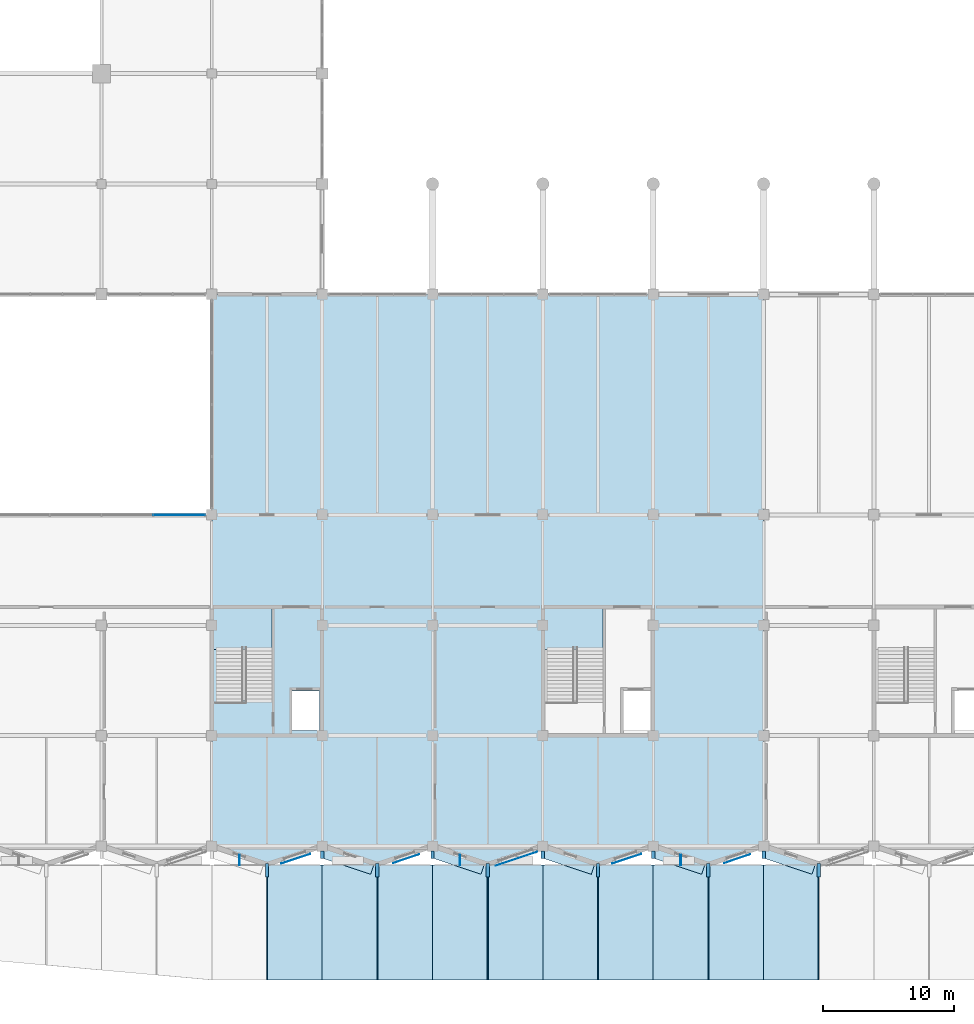
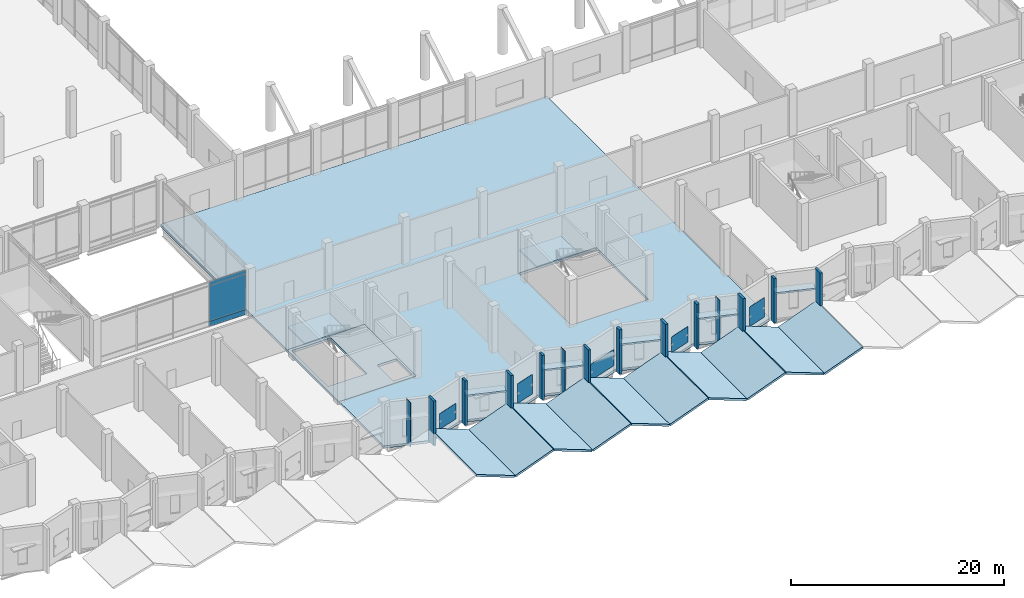
# One storey, part 35 of 72: 27 plates, 14 slabs, 3 elements without a shape of their own.
"""IFC4 building model written with IfcOpenShell, lengths in metres."""

from ifc_helpers import new_model, si_unit, direction, frame, frame_2d, origin, place, context, subcontext, project, spatial, polyline, rectangle, outline, extrude, material, layer, layer_set, type_object, element, aggregate, save


model = new_model("IFC4")

# Units and contexts
model_context = context("Model", 3, precision=1e-05, world=origin(), true_north=direction((0.0, 1.0)))
body_context = subcontext(model_context, "Body", "Model", "MODEL_VIEW")
ifc_project = project(units=[si_unit("LENGTHUNIT", "METRE"), si_unit("AREAUNIT", "SQUARE_METRE"), si_unit("VOLUMEUNIT", "CUBIC_METRE"), si_unit("PLANEANGLEUNIT", "RADIAN"), si_unit("MASSUNIT", "GRAM", prefix="KILO")], contexts=[model_context])

# Site, building, storey
site_placement = place(None, origin())
site = spatial("IfcSite", under=ifc_project, at=site_placement, CompositionType="ELEMENT")
building_placement = place(site_placement, origin())
building = spatial("IfcBuilding", under=site, at=building_placement, Name="Qawsi Khor Wholesale Market", CompositionType="ELEMENT")
storey_placement = place(building_placement, frame((0.0, 0.0, 6.0)))
storey = spatial("IfcBuildingStorey", under=building, at=storey_placement, Name="L01", CompositionType="ELEMENT", Elevation=6.0)

# Slabs
ifc_material_1 = material(Name="Concrete C40/50", Category="concrete")
ifc_layer_1 = layer(ifc_material_1, 0.22998046875, Name="Concrete C40/50")
ifc_layer_set_1 = layer_set([ifc_layer_1], Name="Concrete C40/50")
slab_type_1 = type_object("IfcSlabType", Name="Folded Concrete Canopy Slab 230 C40/50", PredefinedType="ROOF", material=ifc_layer_set_1)
slab_1_placement = place(storey_placement, frame((71.445068359375, -10.199951171875, 1.419921875), z_axis=(0.353429429104, 0.0, 0.935461190346), x_axis=(0.935461190346, 0.0, -0.353429429104)))
element("IfcSlab", 1, at=slab_1_placement, inside=storey, type_object=slab_type_1, Name="Boulevard Origami Canopy Facet 08B", PredefinedType="ROOF", context=body_context, shape_type="SweptSolid", body=[
    extrude(outline(polyline([(0.0, 0.0), (4.441690729402894, 0.0), (4.441690729402894, 8.75), (0.0, 8.75), (0.0, 0.0)])), origin(), (0.0, 0.0, -1.0), 0.22998046875),
])
slab_2_placement = place(storey_placement, frame((75.60009765625, -10.199951171875, -0.14990234375), z_axis=(-0.353447602704, 0.0, 0.935454323921), x_axis=(0.935454323921, 0.0, 0.353447602704)))
element("IfcSlab", 2, at=slab_2_placement, inside=storey, type_object=slab_type_1, Name="Boulevard Origami Canopy Facet 09A", PredefinedType="ROOF", context=body_context, shape_type="SweptSolid", body=[
    extrude(outline(polyline([(0.0, 0.0), (4.441462346161384, 0.0), (4.441462346161384, 8.750000000000002), (0.0, 8.750000000000002), (0.0, 0.0)])), origin(), (0.0, 0.0, -1.0), 0.22998046875),
])
for number, where, z_axis, x_axis, name in (
    (3, (79.844970703125, -10.199951171875, 1.419921875), (0.353429429104, 0.0, 0.935461190346), (0.935461190346, 0.0, -0.353429429104), "Boulevard Origami Canopy Facet 09B"),
    (4, (84.0, -10.199951171875, -0.14990234375), (-0.353429429104, 0.0, 0.935461190346), (0.935461190346, 0.0, 0.353429429104), "Boulevard Origami Canopy Facet 10A"),
):
    element("IfcSlab", number, at=place(storey_placement, frame(where, z_axis=z_axis, x_axis=x_axis)), inside=storey, type_object=slab_type_1, Name=name, PredefinedType="ROOF", context=body_context, shape_type="SweptSolid", body=[
        extrude(outline(polyline([(0.0, 0.0), (4.441690729402894, 0.0), (4.441690729402894, 8.75), (0.0, 8.75), (0.0, 0.0)])), origin(), (0.0, 0.0, -1.0), 0.22998046875),
    ])
slab_3_placement = place(storey_placement, frame((88.2451171875, -10.199951171875, 1.419921875), z_axis=(0.353447602704, 0.0, 0.935454323921), x_axis=(0.935454323921, 0.0, -0.353447602704)))
element("IfcSlab", 5, at=slab_3_placement, inside=storey, type_object=slab_type_1, Name="Boulevard Origami Canopy Facet 10B", PredefinedType="ROOF", context=body_context, shape_type="SweptSolid", body=[
    extrude(outline(polyline([(0.0, 0.0), (4.441462346161384, 0.0), (4.441462346161384, 8.750000000000002), (0.0, 8.750000000000002), (0.0, 0.0)])), origin(), (0.0, 0.0, -1.0), 0.22998046875),
])
for number, where, z_axis, x_axis, name in (
    (6, (92.39990234375, -10.199951171875, -0.14990234375), (-0.353429429104, 0.0, 0.935461190346), (0.935461190346, 0.0, 0.353429429104), "Boulevard Origami Canopy Facet 11A"),
    (7, (96.64501953125, -10.199951171875, 1.419921875), (0.353429429104, 0.0, 0.935461190346), (0.935461190346, 0.0, -0.353429429104), "Boulevard Origami Canopy Facet 11B"),
    (8, (100.800048828125, -10.199951171875, -0.14990234375), (-0.353429429104, 0.0, 0.935461190346), (0.935461190346, 0.0, 0.353429429104), "Boulevard Origami Canopy Facet 12A"),
    (9, (105.044921875, -10.199951171875, 1.419921875), (0.353429429104, 0.0, 0.935461190346), (0.935461190346, 0.0, -0.353429429104), "Boulevard Origami Canopy Facet 12B"),
    (10, (109.199951171875, -10.199951171875, -0.14990234375), (-0.353429429104, 0.0, 0.935461190346), (0.935461190346, 0.0, 0.353429429104), "Boulevard Origami Canopy Facet 13A"),
):
    element("IfcSlab", number, at=place(storey_placement, frame(where, z_axis=z_axis, x_axis=x_axis)), inside=storey, type_object=slab_type_1, Name=name, PredefinedType="ROOF", context=body_context, shape_type="SweptSolid", body=[
        extrude(outline(polyline([(0.0, 0.0), (4.441690729402894, 0.0), (4.441690729402894, 8.75), (0.0, 8.75), (0.0, 0.0)])), origin(), (0.0, 0.0, -1.0), 0.22998046875),
    ])

# Curtain wall, plate
ifc_material_2 = material(Name="Aluminium Anodised Bronze", Category="aluminium")
ifc_layer_2 = layer(ifc_material_2, 0.179931640625, Name="Aluminium Anodised Bronze")
ifc_layer_set_2 = layer_set([ifc_layer_2], Name="Aluminium Anodised Bronze")
curtain_wall_type = type_object("IfcCurtainWallType", Name="Atrium Full-Height Curtain Wall CW-02", PredefinedType="NOTDEFINED", material=ifc_layer_set_2)
curtain_wall_placement = place(storey_placement, origin())
curtain_wall = element("IfcCurtainWall", 11, at=curtain_wall_placement, inside=storey, type_object=curtain_wall_type, Name="Curtain wall CW-CW-02-L01-016", PredefinedType="NOTDEFINED")
ifc_material_3 = material(Name="Anodised Aluminium Spandrel", Category="aluminium")
ifc_layer_3 = layer(ifc_material_3, 0.06494140625, Name="Anodised Aluminium Spandrel")
ifc_layer_set_3 = layer_set([ifc_layer_3], Name="Anodised Aluminium Spandrel")
plate_type_1 = type_object("IfcPlateType", Name="Insulated Spandrel Panel CW-02 65mm", PredefinedType="CURTAIN_PANEL", material=ifc_layer_set_3)
plate_1_placement = place(storey_placement, frame((62.75244140625, 25.199951171875, 0.0048828125), z_axis=(0.0, 0.0, 1.0), x_axis=(1.0, 0.0, 0.0)))
plate_1 = element("IfcPlate", 12, at=plate_1_placement, type_object=plate_type_1, Name="Curtain panel CW-CW-02-L01-016-P0_03", PredefinedType="CURTAIN_PANEL", context=body_context, shape_type="SweptSolid", body=[
    extrude(rectangle(XDim=3.95263671875, YDim=0.06494140625, at=frame_2d((1.976318359375, 0.0))), origin(), (0.0, 0.0, 1.0), 0.590087890625),
])

# Plates
ifc_material_4 = material(Name="Perforated Bronze-Anodised Aluminium", Category="aluminium")
ifc_layer_4 = layer(ifc_material_4, 0.014892578125, Name="Perforated Bronze-Anodised Aluminium")
ifc_layer_set_4 = layer_set([ifc_layer_4], Name="Perforated Bronze-Anodised Aluminium")
plate_type_2 = type_object("IfcPlateType", Name="Perforated Bronze Mashrabiya Screen 15mm", PredefinedType="SHEET", material=ifc_layer_set_4)
plate_2_placement = place(storey_placement, frame((74.691162109375, -0.603515625, 0.85009765625), z_axis=(0.0, 0.0, 1.0), x_axis=(-0.948714864533, -0.31613305081, 0.0)))
element("IfcPlate", 13, at=plate_2_placement, inside=storey, type_object=plate_type_2, Name="Solar mashrabiya screen 006", PredefinedType="SHEET", context=body_context, shape_type="SweptSolid", body=[
    extrude(rectangle(XDim=2.31982421875, YDim=0.014892578125, at=frame_2d((1.159912109375, 0.0))), origin(), (0.0, 0.0, 1.0), 1.7998046875),
])
plate_3_placement = place(storey_placement, frame((82.98681640625, -0.63818359375, 0.85009765625), z_axis=(0.0, 0.0, 1.0), x_axis=(-0.948683298051, -0.316227766017, 0.0)))
element("IfcPlate", 14, at=plate_3_placement, inside=storey, type_object=plate_type_2, Name="Solar mashrabiya screen 007", PredefinedType="SHEET", context=body_context, shape_type="SweptSolid", body=[
    extrude(rectangle(XDim=2.099853515625, YDim=0.014892578125, at=frame_2d((1.0498046875, 0.0))), origin(), (0.0, 0.0, 1.0), 2.25),
])
plate_4_placement = place(storey_placement, frame((91.9560546875, -0.448486328125, 0.85009765625), z_axis=(0.0, 0.0, 1.0), x_axis=(-0.948690696143, -0.316205570874, 0.0)))
element("IfcPlate", 15, at=plate_4_placement, inside=storey, type_object=plate_type_2, Name="Solar mashrabiya screen 008", PredefinedType="SHEET", context=body_context, shape_type="SweptSolid", body=[
    extrude(rectangle(XDim=3.300048828125, YDim=0.014892578125, at=frame_2d((1.64990234375, 0.0))), origin(), (0.0, 0.0, 1.0), 1.849853515625),
])
plate_5_placement = place(storey_placement, frame((99.89111328125, -0.603515625, 0.85009765625), z_axis=(0.0, 0.0, 1.0), x_axis=(-0.948714864533, -0.31613305081, 0.0)))
element("IfcPlate", 16, at=plate_5_placement, inside=storey, type_object=plate_type_2, Name="Solar mashrabiya screen 009", PredefinedType="SHEET", context=body_context, shape_type="SweptSolid", body=[
    extrude(rectangle(XDim=2.31982421875, YDim=0.014892578125, at=frame_2d((1.159912109375, 0.0))), origin(), (0.0, 0.0, 1.0), 1.7998046875),
])
plate_6_placement = place(storey_placement, frame((108.186767578125, -0.63818359375, 0.85009765625), z_axis=(0.0, 0.0, 1.0), x_axis=(-0.948683298051, -0.316227766017, 0.0)))
element("IfcPlate", 17, at=plate_6_placement, inside=storey, type_object=plate_type_2, Name="Solar mashrabiya screen 010", PredefinedType="SHEET", context=body_context, shape_type="SweptSolid", body=[
    extrude(rectangle(XDim=2.099853515625, YDim=0.014892578125, at=frame_2d((1.0498046875, 0.0))), origin(), (0.0, 0.0, 1.0), 2.25),
])
ifc_layer_5 = layer(ifc_material_1, 0.260009765625, Name="Concrete C40/50")
ifc_layer_set_5 = layer_set([ifc_layer_5], Name="Concrete C40/50")
plate_type_3 = type_object("IfcPlateType", Name="Sculpted Concrete Solar Buttress Fin 260", PredefinedType="SHEET", material=ifc_layer_set_5)
plate_7_placement = place(storey_placement, frame((71.39990234375, -2.35009765625, 0.0), z_axis=(0.0, 0.0, 1.0), x_axis=(0.0, 1.0, 0.0)))
element("IfcPlate", 18, at=plate_7_placement, inside=storey, type_object=plate_type_3, Name="Boulevard concrete solar buttress fin L01-11", PredefinedType="SHEET", context=body_context, shape_type="SweptSolid", body=[
    extrude(rectangle(XDim=1.0, YDim=0.260009765625, at=frame_2d((0.5, 0.0))), origin(), (0.0, 0.0, 1.0), 5.1201171875),
])
plate_8_placement = place(storey_placement, frame((75.60009765625, -0.949951171875, 0.0), z_axis=(0.0, 0.0, 1.0), x_axis=(0.0, 1.0, 0.0)))
element("IfcPlate", 19, at=plate_8_placement, inside=storey, type_object=plate_type_3, Name="Boulevard concrete solar buttress fin L01-12", PredefinedType="SHEET", context=body_context, shape_type="SweptSolid", body=[
    extrude(rectangle(XDim=0.570068359375, YDim=0.260009765625, at=frame_2d((0.28515625, 0.0))), origin(), (0.0, 0.0, 1.0), 5.1201171875),
])
plate_9_placement = place(storey_placement, frame((79.800048828125, -2.35009765625, 0.0), z_axis=(0.0, 0.0, 1.0), x_axis=(0.0, 1.0, 0.0)))
element("IfcPlate", 20, at=plate_9_placement, inside=storey, type_object=plate_type_3, Name="Boulevard concrete solar buttress fin L01-13", PredefinedType="SHEET", context=body_context, shape_type="SweptSolid", body=[
    extrude(rectangle(XDim=1.0, YDim=0.260009765625, at=frame_2d((0.5, 0.0))), origin(), (0.0, 0.0, 1.0), 5.1201171875),
])
plate_10_placement = place(storey_placement, frame((84.0, -0.949951171875, 0.0), z_axis=(0.0, 0.0, 1.0), x_axis=(0.0, 1.0, 0.0)))
element("IfcPlate", 21, at=plate_10_placement, inside=storey, type_object=plate_type_3, Name="Boulevard concrete solar buttress fin L01-14", PredefinedType="SHEET", context=body_context, shape_type="SweptSolid", body=[
    extrude(rectangle(XDim=0.570068359375, YDim=0.260009765625, at=frame_2d((0.28515625, 0.0))), origin(), (0.0, 0.0, 1.0), 5.1201171875),
])
plate_11_placement = place(storey_placement, frame((88.199951171875, -2.35009765625, 0.0), z_axis=(0.0, 0.0, 1.0), x_axis=(0.0, 1.0, 0.0)))
element("IfcPlate", 22, at=plate_11_placement, inside=storey, type_object=plate_type_3, Name="Boulevard concrete solar buttress fin L01-15", PredefinedType="SHEET", context=body_context, shape_type="SweptSolid", body=[
    extrude(rectangle(XDim=1.0, YDim=0.260009765625, at=frame_2d((0.5, 0.0))), origin(), (0.0, 0.0, 1.0), 5.1201171875),
])
plate_12_placement = place(storey_placement, frame((92.39990234375, -0.949951171875, 0.0), z_axis=(0.0, 0.0, 1.0), x_axis=(0.0, 1.0, 0.0)))
element("IfcPlate", 23, at=plate_12_placement, inside=storey, type_object=plate_type_3, Name="Boulevard concrete solar buttress fin L01-16", PredefinedType="SHEET", context=body_context, shape_type="SweptSolid", body=[
    extrude(rectangle(XDim=0.570068359375, YDim=0.260009765625, at=frame_2d((0.28515625, 0.0))), origin(), (0.0, 0.0, 1.0), 5.1201171875),
])
plate_13_placement = place(storey_placement, frame((96.60009765625, -2.35009765625, 0.0), z_axis=(0.0, 0.0, 1.0), x_axis=(0.0, 1.0, 0.0)))
element("IfcPlate", 24, at=plate_13_placement, inside=storey, type_object=plate_type_3, Name="Boulevard concrete solar buttress fin L01-17", PredefinedType="SHEET", context=body_context, shape_type="SweptSolid", body=[
    extrude(rectangle(XDim=1.0, YDim=0.260009765625, at=frame_2d((0.5, 0.0))), origin(), (0.0, 0.0, 1.0), 5.1201171875),
])
plate_14_placement = place(storey_placement, frame((100.800048828125, -0.949951171875, 0.0), z_axis=(0.0, 0.0, 1.0), x_axis=(0.0, 1.0, 0.0)))
element("IfcPlate", 25, at=plate_14_placement, inside=storey, type_object=plate_type_3, Name="Boulevard concrete solar buttress fin L01-18", PredefinedType="SHEET", context=body_context, shape_type="SweptSolid", body=[
    extrude(rectangle(XDim=0.570068359375, YDim=0.260009765625, at=frame_2d((0.28515625, 0.0))), origin(), (0.0, 0.0, 1.0), 5.1201171875),
])
plate_15_placement = place(storey_placement, frame((105.0, -2.35009765625, 0.0), z_axis=(0.0, 0.0, 1.0), x_axis=(0.0, 1.0, 0.0)))
element("IfcPlate", 26, at=plate_15_placement, inside=storey, type_object=plate_type_3, Name="Boulevard concrete solar buttress fin L01-19", PredefinedType="SHEET", context=body_context, shape_type="SweptSolid", body=[
    extrude(rectangle(XDim=1.0, YDim=0.260009765625, at=frame_2d((0.5, 0.0))), origin(), (0.0, 0.0, 1.0), 5.1201171875),
])
plate_16_placement = place(storey_placement, frame((109.199951171875, -0.949951171875, 0.0), z_axis=(0.0, 0.0, 1.0), x_axis=(0.0, 1.0, 0.0)))
element("IfcPlate", 27, at=plate_16_placement, inside=storey, type_object=plate_type_3, Name="Boulevard concrete solar buttress fin L01-20", PredefinedType="SHEET", context=body_context, shape_type="SweptSolid", body=[
    extrude(rectangle(XDim=0.570068359375, YDim=0.260009765625, at=frame_2d((0.28515625, 0.0))), origin(), (0.0, 0.0, 1.0), 5.1201171875),
])
plate_17_placement = place(storey_placement, frame((113.39990234375, -2.35009765625, 0.0), z_axis=(0.0, 0.0, 1.0), x_axis=(0.0, 1.0, 0.0)))
element("IfcPlate", 28, at=plate_17_placement, inside=storey, type_object=plate_type_3, Name="Boulevard concrete solar buttress fin L01-21", PredefinedType="SHEET", context=body_context, shape_type="SweptSolid", body=[
    extrude(rectangle(XDim=1.0, YDim=0.260009765625, at=frame_2d((0.5, 0.0))), origin(), (0.0, 0.0, 1.0), 5.1201171875),
])
ifc_layer_6 = layer(ifc_material_1, 0.949951171875, Name="Concrete C40/50")
ifc_layer_set_6 = layer_set([ifc_layer_6], Name="Concrete C40/50")
plate_type_4 = type_object("IfcPlateType", Name="Sculpted Concrete Sun-Hood Canopy 950", PredefinedType="SHEET", material=ifc_layer_set_6)
for number, where, z_axis, x_axis, name in (
    (29, (75.710693359375, -0.45849609375, 3.25), (0.0, 0.0, 1.0), (0.94867708111, -0.316246416226, 0.0), "Sculpted concrete sun-hood L01-13"),
    (30, (84.110595703125, -0.45849609375, 3.25), (0.0, 0.0, 1.0), (0.94867708111, -0.316246416226, 0.0), "Sculpted concrete sun-hood L01-15"),
    (31, (92.5107421875, -0.45849609375, 3.25), (0.0, 0.0, 1.0), (0.94867708111, -0.316246416226, 0.0), "Sculpted concrete sun-hood L01-17"),
    (32, (100.91064453125, -0.45849609375, 3.25), (0.0, 0.0, 1.0), (0.94867708111, -0.316246416226, 0.0), "Sculpted concrete sun-hood L01-19"),
    (33, (109.310791015625, -0.45849609375, 3.25), (0.0, 0.0, 1.0), (0.94867708111, -0.316246416226, 0.0), "Sculpted concrete sun-hood L01-21"),
):
    element("IfcPlate", number, at=place(storey_placement, frame(where, z_axis=z_axis, x_axis=x_axis)), inside=storey, type_object=plate_type_4, Name=name, PredefinedType="SHEET", context=body_context, shape_type="SweptSolid", body=[
        extrude(rectangle(XDim=3.92724609375, YDim=0.949951171875, at=frame_2d((1.963623046875, 0.0))), origin(), (0.0, 0.0, 1.0), 0.18994140625),
    ])

# Plate
ifc_material_5 = material(Name="Tempered Low-E Solar Glass", Category="glass")
ifc_layer_7 = layer(ifc_material_5, 0.031982421875, Name="Tempered Low-E Solar Glass")
ifc_layer_set_7 = layer_set([ifc_layer_7], Name="Tempered Low-E Solar Glass")
plate_type_5 = type_object("IfcPlateType", Name="Solar Double-Glazed Unit CW-02 32mm", PredefinedType="CURTAIN_PANEL", material=ifc_layer_set_7)
plate_18_placement = place(storey_placement, frame((62.75244140625, 25.199951171875, 0.60498046875), z_axis=(0.0, 0.0, 1.0), x_axis=(1.0, 0.0, 0.0)))
plate_18 = element("IfcPlate", 34, at=plate_18_placement, type_object=plate_type_5, Name="Curtain panel CW-CW-02-L01-016-P1_03", PredefinedType="CURTAIN_PANEL", context=body_context, shape_type="SweptSolid", body=[
    extrude(rectangle(XDim=3.95263671875, YDim=0.031982421875, at=frame_2d((1.976318359375, 0.0))), origin(), (0.0, 0.0, 1.0), 4.06005859375),
])

plate_19_placement = place(storey_placement, frame((62.75244140625, 25.199951171875, 4.675048828125), z_axis=(0.0, 0.0, 1.0), x_axis=(1.0, 0.0, 0.0)))
plate_19 = element("IfcPlate", 35, at=plate_19_placement, type_object=plate_type_5, Name="Curtain panel CW-CW-02-L01-016-P2_03", PredefinedType="CURTAIN_PANEL", context=body_context, shape_type="SweptSolid", body=[
    extrude(rectangle(XDim=3.95263671875, YDim=0.031982421875, at=frame_2d((1.976318359375, 0.0))), origin(), (0.0, 0.0, 1.0), 0.43994140625),
])

aggregate(curtain_wall, [plate_1, plate_18, plate_19])

# Stair, slab
stair_type = type_object("IfcStairType", Name="Exit Stair L01-L02 5400 Rise", PredefinedType="HALF_TURN_STAIR", material=ifc_material_1)
stair_1_placement = place(storey_placement, origin())
stair_1 = element("IfcStair", 36, at=stair_1_placement, inside=storey, type_object=stair_type, Name="Stair ST-02 L01", PredefinedType="HALF_TURN_STAIR")
ifc_layer_8 = layer(ifc_material_1, 0.179931640625, Name="Concrete C40/50")
ifc_layer_set_8 = layer_set([ifc_layer_8], Name="Concrete C40/50")
slab_type_2 = type_object("IfcSlabType", Name="Stair Half-Landing Slab 180 C40/50", PredefinedType="LANDING", material=ifc_layer_set_8)
slab_4_placement = place(storey_placement, frame((0.0, 0.0, 2.52001953125)))
slab_4 = element("IfcSlab", 37, at=slab_4_placement, type_object=slab_type_2, Name="ST-02-L01 landing 1", PredefinedType="LANDING", context=body_context, shape_type="SweptSolid", body=[
    extrude(outline(polyline([(67.25, 14.9599609375), (71.780029296875, 14.9599609375), (71.780029296875, 18.14990234375), (67.25, 18.14990234375), (67.25, 14.9599609375)])), origin(), (0.0, 0.0, 1.0), 0.179931640625),
])
aggregate(stair_1, [slab_4])

stair_2_placement = place(storey_placement, origin())
stair_2 = element("IfcStair", 38, at=stair_2_placement, inside=storey, type_object=stair_type, Name="Stair ST-03 L01", PredefinedType="HALF_TURN_STAIR")
slab_5_placement = place(storey_placement, frame((0.0, 0.0, 2.52001953125)))
slab_5 = element("IfcSlab", 39, at=slab_5_placement, type_object=slab_type_2, Name="ST-03-L01 landing 1", PredefinedType="LANDING", context=body_context, shape_type="SweptSolid", body=[
    extrude(outline(polyline([(92.449951171875, 14.9599609375), (96.97998046875, 14.9599609375), (96.97998046875, 18.14990234375), (92.449951171875, 18.14990234375), (92.449951171875, 14.9599609375)])), origin(), (0.0, 0.0, 1.0), 0.179931640625),
])
aggregate(stair_2, [slab_5])

# Slabs
ifc_layer_9 = layer(ifc_material_1, 0.280029296875, Name="Concrete C40/50")
ifc_layer_set_9 = layer_set([ifc_layer_9], Name="Concrete C40/50")
slab_type_3 = type_object("IfcSlabType", Name="Suspended Floor Slab 280 C40/50", PredefinedType="FLOOR", material=ifc_layer_set_9)
slab_6_placement = place(storey_placement, frame((0.0, 0.0, -0.280029296875)))
element("IfcSlab", 40, at=slab_6_placement, inside=storey, type_object=slab_type_3, Name="Core floor slab L01 C02", PredefinedType="FLOOR", context=body_context, shape_type="SweptSolid", body=[
    extrude(outline(polyline([(67.199951171875, 18.199951171875), (75.60009765625, 18.199951171875), (75.60009765625, 8.39990234375), (67.199951171875, 8.39990234375), (67.199951171875, 18.199951171875)]), holes=[polyline([(73.320068359375, 8.800048828125), (75.39990234375, 8.800048828125), (75.39990234375, 11.800048828125), (73.320068359375, 11.800048828125), (73.320068359375, 8.800048828125)]), polyline([(67.5400390625, 11.080078125), (71.780029296875, 11.080078125), (71.780029296875, 17.860107421875), (67.5400390625, 17.860107421875), (67.5400390625, 11.080078125)])]), origin(), (0.0, 0.0, 1.0), 0.280029296875),
])
slab_7_placement = place(storey_placement, frame((0.0, 0.0, -0.280029296875)))
element("IfcSlab", 41, at=slab_7_placement, inside=storey, type_object=slab_type_3, Name="SLB-L01-SWING-2", PredefinedType="FLOOR", context=body_context, shape_type="SweptSolid", body=[
    extrude(outline(polyline([(67.199951171875, 8.39990234375), (75.60009765625, 8.39990234375), (75.60009765625, 18.199951171875), (67.199951171875, 18.199951171875), (67.199951171875, 42.0), (109.199951171875, 42.0), (109.199951171875, 0.0), (105.0, -1.39990234375), (100.800048828125, 0.0), (96.60009765625, -1.39990234375), (92.39990234375, 0.0), (88.199951171875, -1.39990234375), (84.0, 0.0), (79.800048828125, -1.39990234375), (75.60009765625, 0.0), (71.39990234375, -1.39990234375), (67.199951171875, 0.0), (67.199951171875, 8.39990234375)]), holes=[polyline([(100.800048828125, 8.39990234375), (100.800048828125, 18.199951171875), (92.39990234375, 18.199951171875), (92.39990234375, 8.39990234375), (100.800048828125, 8.39990234375)])]), origin(), (0.0, 0.0, 1.0), 0.280029296875),
])

# Plates
ifc_layer_10 = layer(ifc_material_4, 0.044921875, Name="Perforated Bronze-Anodised Aluminium")
ifc_layer_set_10 = layer_set([ifc_layer_10], Name="Perforated Bronze-Anodised Aluminium")
plate_type_6 = type_object("IfcPlateType", Name="Vertical Sculpted Sun-Fin Plate 45mm", PredefinedType="SHEET", material=ifc_layer_set_10)
for number, where, z_axis, x_axis, name in (
    (42, (69.300048828125, -1.449951171875, 0.0), (0.0, 0.0, 1.0), (0.0, 1.0, 0.0), "Sculpted vertical sun-fin L01-10"),
    (43, (86.10009765625, -1.449951171875, 0.0), (0.0, 0.0, 1.0), (0.0, 1.0, 0.0), "Sculpted vertical sun-fin L01-14"),
    (44, (102.89990234375, -1.449951171875, 0.0), (0.0, 0.0, 1.0), (0.0, 1.0, 0.0), "Sculpted vertical sun-fin L01-18"),
):
    element("IfcPlate", number, at=place(storey_placement, frame(where, z_axis=z_axis, x_axis=x_axis)), inside=storey, type_object=plate_type_6, Name=name, PredefinedType="SHEET", context=body_context, shape_type="SweptSolid", body=[
        extrude(rectangle(XDim=0.800048828125, YDim=0.044921875, at=frame_2d((0.39990234375, 0.0))), origin(), (0.0, 0.0, 1.0), 5.1201171875),
    ])

save(model, "model.ifc")
